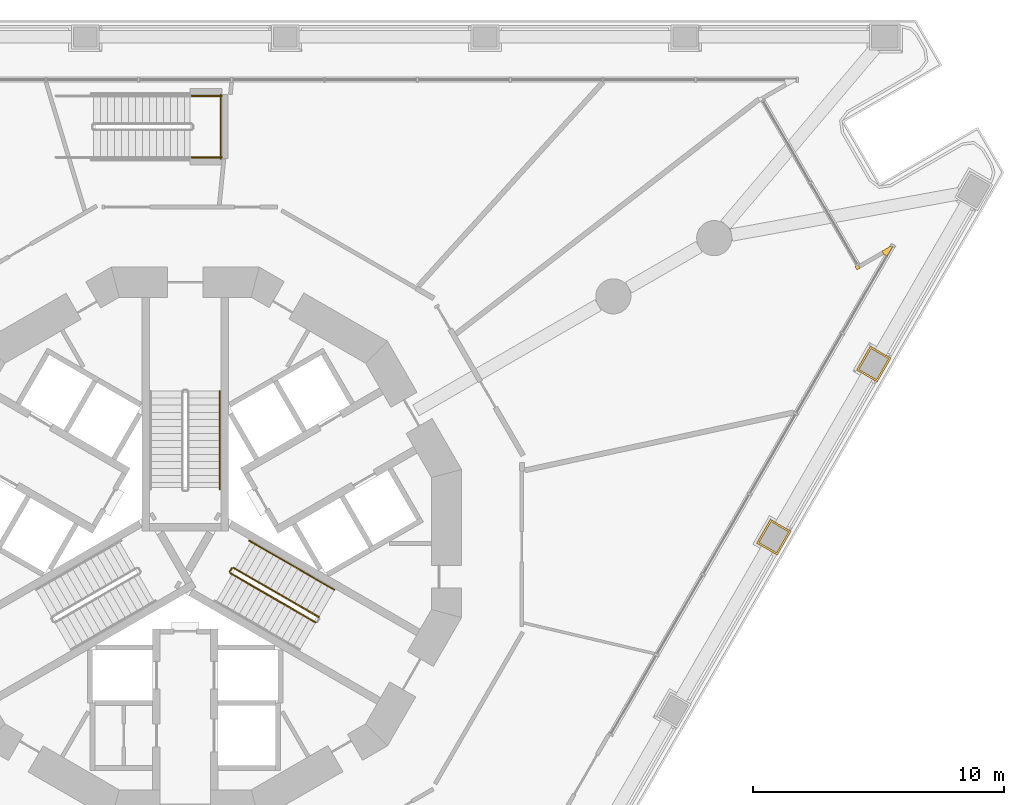
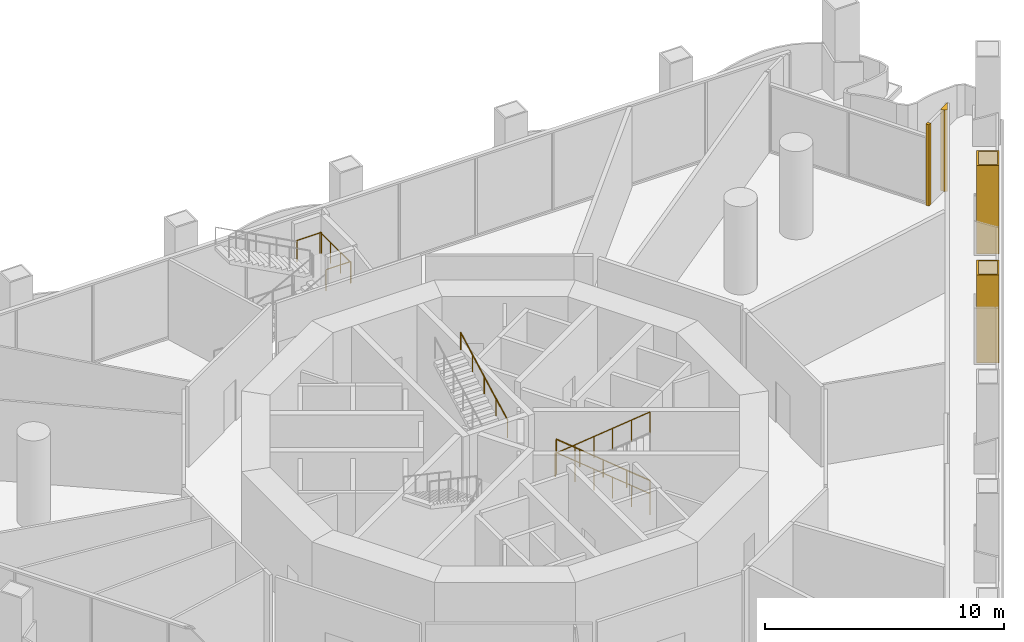
# One storey, part 22 of 23: 9 railings, 4 coverings.
"""IFC4 building model written with IfcOpenShell, lengths in metres."""

from ifc_helpers import new_model, si_unit, direction, frame, origin, origin_2d, place, context, subcontext, project, spatial, polyline, circle, outline, extrude, material, layer, layer_set, type_object, element, save


model = new_model("IFC4")

# Units and contexts
model_context = context("Model", 3, precision=1e-05, world=origin(), true_north=direction((0.0, 1.0)))
body_context = subcontext(model_context, "Body", "Model", "MODEL_VIEW")
ifc_project = project(units=[si_unit("LENGTHUNIT", "METRE"), si_unit("AREAUNIT", "SQUARE_METRE"), si_unit("VOLUMEUNIT", "CUBIC_METRE"), si_unit("PLANEANGLEUNIT", "RADIAN"), si_unit("MASSUNIT", "GRAM", prefix="KILO")], contexts=[model_context])

# Site, building, storey
site_placement = place(None, origin())
site = spatial("IfcSite", under=ifc_project, at=site_placement, CompositionType="ELEMENT")
building_placement = place(site_placement, origin())
building = spatial("IfcBuilding", under=site, at=building_placement, Name="Trine Commons Tower", CompositionType="ELEMENT")
storey_placement = place(building_placement, frame((0.0, 0.0, 18.0)))
storey = spatial("IfcBuildingStorey", under=building, at=storey_placement, Name="L03", CompositionType="ELEMENT", Elevation=18.0)

# Railings
ifc_material_1 = material(Name="Structural steel ASTM A500 Gr C", Category="steel")
railing_type_1 = type_object("IfcRailingType", Name="Glass and steel guard 1100 mm, ASTM A500 Gr C", PredefinedType="GUARDRAIL", material=ifc_material_1)
for number, where, name in (
    (1, (80.260009765625, 77.885009765625, 2.25), "L03 PS1 stair guard 3"),
    (2, (80.260009765625, 80.3349609375, 2.25), "L03 PS1 stair guard 4"),
):
    element("IfcRailing", number, at=place(storey_placement, frame(where)), inside=storey, type_object=railing_type_1, Name=name, PredefinedType="GUARDRAIL", context=body_context, shape_type="SweptSolid", body=[
        extrude(circle(Radius=0.02392578125, at=origin_2d()), frame((0.0, 0.0, 1.076171875), z_axis=(1.0, 0.0, 0.0), x_axis=(0.0, 1.0, 0.0)), (0.0, 0.0, 1.0), 1.199951171875),
        extrude(circle(Radius=0.02099609375, at=origin_2d()), origin(), (0.0, 0.0, 1.0), 1.052001953125),
        extrude(circle(Radius=0.02099609375, at=origin_2d()), frame((1.199951171875, 0.0, 0.0)), (0.0, 0.0, 1.0), 1.052001953125),
    ])
railing_1_placement = place(storey_placement, frame((81.409912109375, 77.8349609375, 2.25)))
element("IfcRailing", 3, at=railing_1_placement, inside=storey, type_object=railing_type_1, Name="L03 PS1 stair guard 5", PredefinedType="GUARDRAIL", context=body_context, shape_type="SweptSolid", body=[
    extrude(circle(Radius=0.02392578125, at=origin_2d()), frame((0.0, 0.0, 1.076171875), z_axis=(0.0, 1.0, 0.0), x_axis=(-1.0, 0.0, 0.0)), (0.0, 0.0, 1.0), 2.550048828125),
    extrude(circle(Radius=0.02099609375, at=origin_2d()), origin(), (0.0, 0.0, 1.0), 1.052001953125),
    extrude(circle(Radius=0.02099609375, at=origin_2d()), frame((0.0, 0.85009765625, 0.0)), (0.0, 0.0, 1.0), 1.052001953125),
    extrude(circle(Radius=0.02099609375, at=origin_2d()), frame((0.0, 1.699951171875, 0.0)), (0.0, 0.0, 1.0), 1.052001953125),
    extrude(circle(Radius=0.02099609375, at=origin_2d()), frame((0.0, 2.550048828125, 0.0)), (0.0, 0.0, 1.0), 1.052001953125),
])

# Coverings
ifc_material_2 = material(Name="Aluminium-framed insulated wall panel", Category="aluminium")
ifc_layer_1 = layer(ifc_material_2, 0.14990234375)
ifc_layer_set_1 = layer_set([ifc_layer_1], Name="Aluminium-framed insulated wall panel")
covering_type_1 = type_object("IfcCoveringType", Name="Glazing corner post, aluminium", PredefinedType="CLADDING", material=ifc_layer_set_1)
covering_1_placement = place(storey_placement, origin())
element("IfcCovering", 4, at=covering_1_placement, inside=storey, type_object=covering_type_1, Name="Glazing corner post 1-07", PredefinedType="CLADDING", context=body_context, shape_type="SweptSolid", body=[
    extrude(outline(polyline([(106.688720703125, 73.532470703125), (106.763671875, 73.402587890625), (106.8935546875, 73.4775390625), (106.818603515625, 73.607421875), (106.688720703125, 73.532470703125)])), origin(), (0.0, 0.0, 1.0), 4.14990234375),
])
covering_2_placement = place(storey_placement, origin())
element("IfcCovering", 5, at=covering_2_placement, inside=storey, type_object=covering_type_1, Name="Glazing corner post 1-08", PredefinedType="CLADDING", context=body_context, shape_type="SweptSolid", body=[
    extrude(outline(polyline([(107.963623046875, 73.9453125), (108.24365234375, 74.43017578125), (107.7587890625, 74.150146484375), (107.833740234375, 74.020263671875), (107.963623046875, 73.9453125)])), origin(), (0.0, 0.0, 1.0), 4.14990234375),
])
ifc_material_3 = material(Name="Limestone, honed", Category="masonry")
ifc_layer_2 = layer(ifc_material_3, 0.074951171875)
ifc_layer_set_2 = layer_set([ifc_layer_2], Name="Limestone, honed")
covering_type_2 = type_object("IfcCoveringType", Name="Limestone column cladding 75", PredefinedType="CLADDING", material=ifc_layer_set_2)
covering_3_placement = place(storey_placement, origin())
element("IfcCovering", 6, at=covering_3_placement, inside=storey, type_object=covering_type_2, Name="Limestone pier cladding 1-18", PredefinedType="CLADDING", context=body_context, shape_type="SweptSolid", body=[
    extrude(outline(polyline([(108.12109375, 69.8876953125), (107.298095703125, 70.36279296875), (106.748291015625, 69.41015625), (107.571044921875, 68.93505859375), (108.12109375, 69.8876953125)]), holes=[polyline([(108.0185546875, 69.8603515625), (107.32568359375, 70.26025390625), (106.8505859375, 69.4375), (107.54345703125, 69.03759765625), (108.0185546875, 69.8603515625)])]), origin(), (0.0, 0.0, 1.0), 4.5),
])
covering_4_placement = place(storey_placement, origin())
element("IfcCovering", 7, at=covering_4_placement, inside=storey, type_object=covering_type_2, Name="Limestone pier cladding 1-19", PredefinedType="CLADDING", context=body_context, shape_type="SweptSolid", body=[
    extrude(outline(polyline([(104.139404296875, 62.9912109375), (103.31640625, 63.46630859375), (102.7666015625, 62.513671875), (103.58935546875, 62.03857421875), (104.139404296875, 62.9912109375)]), holes=[polyline([(104.036865234375, 62.9638671875), (103.343994140625, 63.36376953125), (102.868896484375, 62.541015625), (103.561767578125, 62.14111328125), (104.036865234375, 62.9638671875)])]), origin(), (0.0, 0.0, 1.0), 4.5),
])

# Railings
ifc_material_4 = material(Name="Stainless steel balustrade", Category="steel")
railing_type_2 = type_object("IfcRailingType", Name="Stair guard, steel balustrade 1100", PredefinedType="GUARDRAIL", material=ifc_material_4)
railing_2_placement = place(storey_placement, frame((85.31982421875, 59.572998046875, 0.14990234375)))
element("IfcRailing", 8, at=railing_2_placement, inside=storey, type_object=railing_type_2, Name="L03 ST3A stair guard 1", PredefinedType="GUARDRAIL", context=body_context, shape_type="SweptSolid", body=[
    extrude(circle(Radius=0.02392578125, at=origin_2d()), frame((0.0, 0.0, 1.076171875), z_axis=(-0.763374939589, 0.440731680332, 0.472243885677), x_axis=(-0.499997407846, -0.86602690036, 0.0)), (0.0, 0.0, 1.0), 4.447021484375),
    extrude(circle(Radius=0.02099609375, at=origin_2d()), origin(), (0.0, 0.0, 1.0), 1.052001953125),
    extrude(circle(Radius=0.02099609375, at=origin_2d()), frame((-0.678955078125, 0.39208984375, 0.419921875)), (0.0, 0.0, 1.0), 1.052001953125),
    extrude(circle(Radius=0.02099609375, at=origin_2d()), frame((-1.35791015625, 0.783935546875, 0.840087890625)), (0.0, 0.0, 1.0), 1.052001953125),
    extrude(circle(Radius=0.02099609375, at=origin_2d()), frame((-2.036865234375, 1.176025390625, 1.260009765625)), (0.0, 0.0, 1.0), 1.052001953125),
    extrude(circle(Radius=0.02099609375, at=origin_2d()), frame((-2.7158203125, 1.56787109375, 1.68017578125)), (0.0, 0.0, 1.0), 1.052001953125),
    extrude(circle(Radius=0.02099609375, at=origin_2d()), frame((-3.394775390625, 1.9599609375, 2.10009765625)), (0.0, 0.0, 1.0), 1.052001953125),
])
railing_3_placement = place(storey_placement, frame((81.856689453125, 61.5146484375, 2.25)))
element("IfcRailing", 9, at=railing_3_placement, inside=storey, type_object=railing_type_2, Name="L03 ST3A stair guard 2", PredefinedType="GUARDRAIL", context=body_context, shape_type="SweptSolid", body=[
    extrude(circle(Radius=0.02392578125, at=origin_2d()), frame((0.0, 0.0, 1.076171875), z_axis=(-0.499816412211, -0.866131372301, 0.0), x_axis=(0.866131372301, -0.499816412211, 0.0)), (0.0, 0.0, 1.0), 0.14990234375),
    extrude(circle(Radius=0.02099609375, at=origin_2d()), origin(), (0.0, 0.0, 1.0), 1.052001953125),
    extrude(circle(Radius=0.02099609375, at=origin_2d()), frame((-0.074951171875, -0.1298828125, 0.0)), (0.0, 0.0, 1.0), 1.052001953125),
])
railing_4_placement = place(storey_placement, frame((81.800048828125, 61.31640625, 2.39990234375)))
element("IfcRailing", 10, at=railing_4_placement, inside=storey, type_object=railing_type_2, Name="L03 ST3A stair guard 3", PredefinedType="GUARDRAIL", context=body_context, shape_type="SweptSolid", body=[
    extrude(circle(Radius=0.02392578125, at=origin_2d()), frame((0.0, 0.0, 1.076171875), z_axis=(0.763374939589, -0.440731680332, 0.472243885677), x_axis=(0.499997407846, 0.86602690036, 0.0)), (0.0, 0.0, 1.0), 4.447021484375),
    extrude(circle(Radius=0.02099609375, at=origin_2d()), origin(), (0.0, 0.0, 1.0), 1.052001953125),
    extrude(circle(Radius=0.02099609375, at=origin_2d()), frame((0.678955078125, -0.39208984375, 0.419921875)), (0.0, 0.0, 1.0), 1.052001953125),
    extrude(circle(Radius=0.02099609375, at=origin_2d()), frame((1.35791015625, -0.783935546875, 0.840087890625)), (0.0, 0.0, 1.0), 1.052001953125),
    extrude(circle(Radius=0.02099609375, at=origin_2d()), frame((2.036865234375, -1.176025390625, 1.260009765625)), (0.0, 0.0, 1.0), 1.052001953125),
    extrude(circle(Radius=0.02099609375, at=origin_2d()), frame((2.7158203125, -1.56787109375, 1.68017578125)), (0.0, 0.0, 1.0), 1.052001953125),
    extrude(circle(Radius=0.02099609375, at=origin_2d()), frame((3.394775390625, -1.9599609375, 2.10009765625)), (0.0, 0.0, 1.0), 1.052001953125),
])
ifc_material_5 = material(Name="Stainless steel handrail", Category="steel")
railing_type_3 = type_object("IfcRailingType", Name="Stair handrail, steel 900", PredefinedType="HANDRAIL", material=ifc_material_5)
railing_5_placement = place(storey_placement, frame((81.375, 64.650634765625, 2.39990234375)))
element("IfcRailing", 11, at=railing_5_placement, inside=storey, type_object=railing_type_3, Name="L03 ST1A stair handrail 2", PredefinedType="HANDRAIL", context=body_context, shape_type="SweptSolid", body=[
    extrude(circle(Radius=0.02099609375, at=origin_2d()), frame((0.0, 0.0, 0.87890625), z_axis=(0.0, 0.881466911329, 0.472245787945), x_axis=(-1.0, 0.0, 0.0)), (0.0, 0.0, 1.0), 4.447021484375),
    extrude(circle(Radius=0.01513671875, at=origin_2d()), origin(), (0.0, 0.0, 1.0), 0.85791015625),
    extrude(circle(Radius=0.01513671875, at=origin_2d()), frame((0.0, 0.97998046875, 0.52490234375)), (0.0, 0.0, 1.0), 0.85791015625),
    extrude(circle(Radius=0.01513671875, at=origin_2d()), frame((0.0, 1.9599609375, 1.050048828125)), (0.0, 0.0, 1.0), 0.85791015625),
    extrude(circle(Radius=0.01513671875, at=origin_2d()), frame((0.0, 2.93994140625, 1.5751953125)), (0.0, 0.0, 1.0), 0.85791015625),
    extrude(circle(Radius=0.01513671875, at=origin_2d()), frame((0.0, 3.919921875, 2.10009765625)), (0.0, 0.0, 1.0), 0.85791015625),
])
railing_6_placement = place(storey_placement, frame((85.94482421875, 60.655517578125, 0.14990234375)))
element("IfcRailing", 12, at=railing_6_placement, inside=storey, type_object=railing_type_3, Name="L03 ST3A stair handrail 1", PredefinedType="HANDRAIL", context=body_context, shape_type="SweptSolid", body=[
    extrude(circle(Radius=0.02099609375, at=origin_2d()), frame((0.0, 0.0, 0.87890625), z_axis=(-0.763397845365, 0.440713210311, 0.472224095054), x_axis=(-0.499970440388, -0.866042469362, 0.0)), (0.0, 0.0, 1.0), 2.2236328125),
    extrude(circle(Radius=0.01513671875, at=origin_2d()), origin(), (0.0, 0.0, 1.0), 0.85791015625),
    extrude(circle(Radius=0.01513671875, at=origin_2d()), frame((-0.8486328125, 0.489990234375, 0.52490234375)), (0.0, 0.0, 1.0), 0.85791015625),
    extrude(circle(Radius=0.01513671875, at=origin_2d()), frame((-1.697509765625, 0.97998046875, 1.050048828125)), (0.0, 0.0, 1.0), 0.85791015625),
])
railing_7_placement = place(storey_placement, frame((84.247314453125, 61.635498046875, 1.199951171875)))
element("IfcRailing", 13, at=railing_7_placement, inside=storey, type_object=railing_type_3, Name="L03 ST3A stair handrail 2", PredefinedType="HANDRAIL", context=body_context, shape_type="SweptSolid", body=[
    extrude(circle(Radius=0.02099609375, at=origin_2d()), frame((0.0, 0.0, 0.87890625), z_axis=(-0.763352030933, 0.440750151347, 0.472263677365), x_axis=(-0.500024377727, -0.866011328839, 0.0)), (0.0, 0.0, 1.0), 2.223388671875),
    extrude(circle(Radius=0.01513671875, at=origin_2d()), origin(), (0.0, 0.0, 1.0), 0.85791015625),
    extrude(circle(Radius=0.01513671875, at=origin_2d()), frame((-0.8486328125, 0.489990234375, 0.52490234375)), (0.0, 0.0, 1.0), 0.85791015625),
    extrude(circle(Radius=0.01513671875, at=origin_2d()), frame((-1.697265625, 0.97998046875, 1.050048828125)), (0.0, 0.0, 1.0), 0.85791015625),
])

save(model, "model.ifc")
